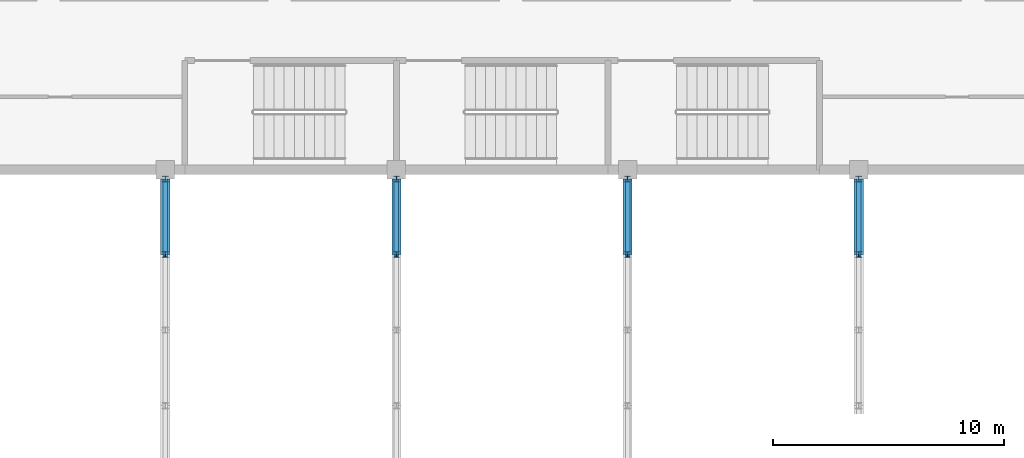
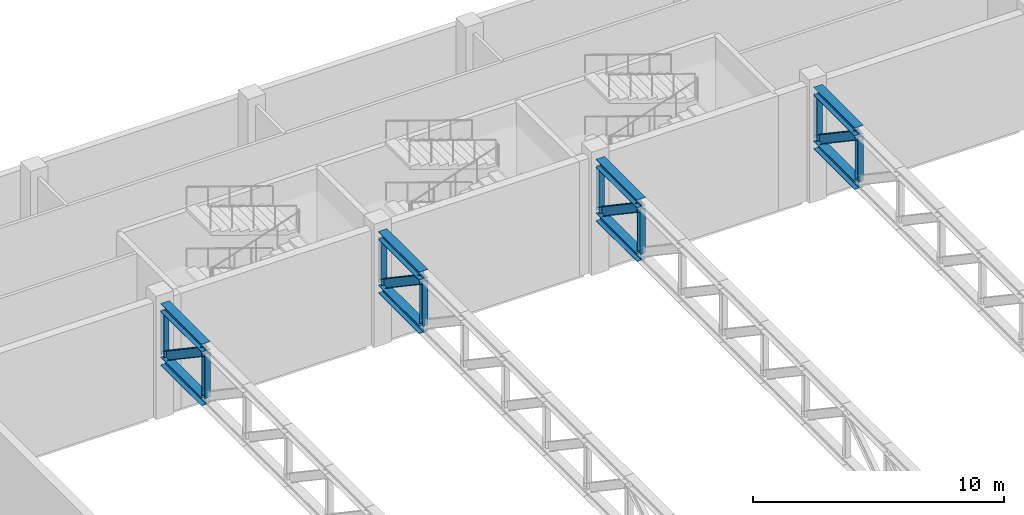
# One storey, part 21 of 51: 20 members.
"""IFC4 building model written with IfcOpenShell, lengths in metres."""

from ifc_helpers import new_model, si_unit, direction, frame, origin, origin_2d, place, context, subcontext, project, spatial, i_section, extrude, material, material_profile, profile_set, type_object, element, save


model = new_model("IFC4")

# Units and contexts
model_context = context("Model", 3, precision=1e-05, world=origin(), true_north=direction((0.0, 1.0)))
body_context = subcontext(model_context, "Body", "Model", "MODEL_VIEW")
ifc_project = project(units=[si_unit("LENGTHUNIT", "METRE"), si_unit("AREAUNIT", "SQUARE_METRE"), si_unit("VOLUMEUNIT", "CUBIC_METRE"), si_unit("PLANEANGLEUNIT", "RADIAN"), si_unit("MASSUNIT", "GRAM", prefix="KILO")], contexts=[model_context])

# Site, building, storey
site_placement = place(None, origin())
site = spatial("IfcSite", under=ifc_project, at=site_placement, CompositionType="ELEMENT")
building_placement = place(site_placement, origin())
building = spatial("IfcBuilding", under=site, at=building_placement, Name="Jabali Bay Hotel Tower and Convention Centre", CompositionType="ELEMENT")
storey_placement = place(building_placement, frame((0.0, 0.0, 9.0)))
storey = spatial("IfcBuildingStorey", under=building, at=storey_placement, Name="L01", CompositionType="ELEMENT", Elevation=9.0)

# Members
ifc_material = material(Name="Steel Q355B", Category="steel")
ifc_material_profile_1 = material_profile(ifc_material, i_section(OverallWidth=0.39990234375, OverallDepth=0.39990234375, WebThickness=0.012939453125, FlangeThickness=0.02099609375, at=origin_2d()), Name="HW400x400x13x21")
ifc_profile_set_1 = profile_set([ifc_material_profile_1], Name="Steel Q355B")
member_type_1 = type_object("IfcMemberType", Name="CC Floor Truss Chord HW400x400x13x21", PredefinedType="CHORD", material=ifc_profile_set_1)
for number, where, z_axis, x_axis, name in (
    (1, (180.699951171875, 96.333251953125, 5.389892578125), (0.0, 1.0, 0.0), (-1.0, 0.0, 0.0), "CC floor truss F1 top chord 12"),
    (2, (180.699951171875, 96.333251953125, 2.7900390625), (0.0, 1.0, 0.0), (-1.0, 0.0, 0.0), "CC floor truss F1 bottom chord 12"),
    (3, (190.699951171875, 96.333251953125, 5.389892578125), (0.0, 1.0, 0.0), (-1.0, 0.0, 0.0), "CC floor truss F2 top chord 12"),
    (4, (190.699951171875, 96.333251953125, 2.7900390625), (0.0, 1.0, 0.0), (-1.0, 0.0, 0.0), "CC floor truss F2 bottom chord 12"),
    (5, (200.699951171875, 96.333251953125, 5.389892578125), (0.0, 1.0, 0.0), (-1.0, 0.0, 0.0), "CC floor truss F3 top chord 12"),
    (6, (200.699951171875, 96.333251953125, 2.7900390625), (0.0, 1.0, 0.0), (-1.0, 0.0, 0.0), "CC floor truss F3 bottom chord 12"),
    (7, (210.699951171875, 96.333251953125, 5.389892578125), (0.0, 1.0, 0.0), (-1.0, 0.0, 0.0), "CC floor truss F4 top chord 12"),
    (8, (210.699951171875, 96.333251953125, 2.7900390625), (0.0, 1.0, 0.0), (-1.0, 0.0, 0.0), "CC floor truss F4 bottom chord 12"),
):
    element("IfcMember", number, at=place(storey_placement, frame(where, z_axis=z_axis, x_axis=x_axis)), inside=storey, type_object=member_type_1, Name=name, PredefinedType="CHORD", context=body_context, shape_type="SweptSolid", body=[
        extrude(i_section(OverallWidth=0.39990234375, OverallDepth=0.39990234375, WebThickness=0.012939453125, FlangeThickness=0.02099609375, at=origin_2d()), origin(), (0.0, 0.0, 1.0), 3.266845703125),
    ])
ifc_material_profile_2 = material_profile(ifc_material, i_section(OverallWidth=0.199951171875, OverallDepth=0.39990234375, WebThickness=0.008056640625, FlangeThickness=0.012939453125, at=origin_2d()), Name="HN400x200x8x13")
ifc_profile_set_2 = profile_set([ifc_material_profile_2], Name="Steel Q355B")
member_type_2 = type_object("IfcMemberType", Name="CC Floor Truss Diagonal HN400x200x8x13", PredefinedType="BRACE", material=ifc_profile_set_2)
for number, where, z_axis, x_axis, name in (
    (9, (180.699951171875, 99.60009765625, 2.989990234375), (0.0, -0.829456854988, 0.558570788453), (1.0, 0.0, 0.0), "CC floor truss F1 diagonal 12"),
    (10, (190.699951171875, 99.60009765625, 2.989990234375), (0.0, -0.829456854988, 0.558570788453), (1.0, 0.0, 0.0), "CC floor truss F2 diagonal 12"),
    (11, (200.699951171875, 99.60009765625, 2.989990234375), (0.0, -0.829456854988, 0.558570788453), (1.0, 0.0, 0.0), "CC floor truss F3 diagonal 12"),
    (12, (210.699951171875, 99.60009765625, 2.989990234375), (0.0, -0.829456854988, 0.558570788453), (1.0, 0.0, 0.0), "CC floor truss F4 diagonal 12"),
):
    element("IfcMember", number, at=place(storey_placement, frame(where, z_axis=z_axis, x_axis=x_axis)), inside=storey, type_object=member_type_2, Name=name, PredefinedType="BRACE", context=body_context, shape_type="SweptSolid", body=[
        extrude(i_section(OverallWidth=0.199951171875, OverallDepth=0.39990234375, WebThickness=0.008056640625, FlangeThickness=0.012939453125, at=origin_2d()), origin(), (0.0, 0.0, 1.0), 3.9384765625),
    ])
ifc_material_profile_3 = material_profile(ifc_material, i_section(OverallWidth=0.25, OverallDepth=0.25, WebThickness=0.009033203125, FlangeThickness=0.013916015625, at=origin_2d()), Name="HW250x250x9x14")
ifc_profile_set_3 = profile_set([ifc_material_profile_3], Name="Steel Q355B")
member_type_3 = type_object("IfcMemberType", Name="CC Floor Truss Post HW250x250x9x14", PredefinedType="POST", material=ifc_profile_set_3)
for number, where, z_axis, x_axis, name in (
    (13, (180.699951171875, 96.333251953125, 2.989990234375), (0.0, 0.0, 1.0), (1.0, 0.0, 0.0), "CC floor truss F1 post 12"),
    (14, (180.699951171875, 99.60009765625, 2.989990234375), (0.0, 0.0, 1.0), (1.0, 0.0, 0.0), "CC floor truss F1 post 13"),
    (15, (190.699951171875, 96.333251953125, 2.989990234375), (0.0, 0.0, 1.0), (1.0, 0.0, 0.0), "CC floor truss F2 post 12"),
    (16, (190.699951171875, 99.60009765625, 2.989990234375), (0.0, 0.0, 1.0), (1.0, 0.0, 0.0), "CC floor truss F2 post 13"),
    (17, (200.699951171875, 96.333251953125, 2.989990234375), (0.0, 0.0, 1.0), (1.0, 0.0, 0.0), "CC floor truss F3 post 12"),
    (18, (200.699951171875, 99.60009765625, 2.989990234375), (0.0, 0.0, 1.0), (1.0, 0.0, 0.0), "CC floor truss F3 post 13"),
    (19, (210.699951171875, 96.333251953125, 2.989990234375), (0.0, 0.0, 1.0), (1.0, 0.0, 0.0), "CC floor truss F4 post 12"),
    (20, (210.699951171875, 99.60009765625, 2.989990234375), (0.0, 0.0, 1.0), (1.0, 0.0, 0.0), "CC floor truss F4 post 13"),
):
    element("IfcMember", number, at=place(storey_placement, frame(where, z_axis=z_axis, x_axis=x_axis)), inside=storey, type_object=member_type_3, Name=name, PredefinedType="POST", context=body_context, shape_type="SweptSolid", body=[
        extrude(i_section(OverallWidth=0.25, OverallDepth=0.25, WebThickness=0.009033203125, FlangeThickness=0.013916015625, at=origin_2d()), origin(), (0.0, 0.0, 1.0), 2.199951171875),
    ])

save(model, "model.ifc")
